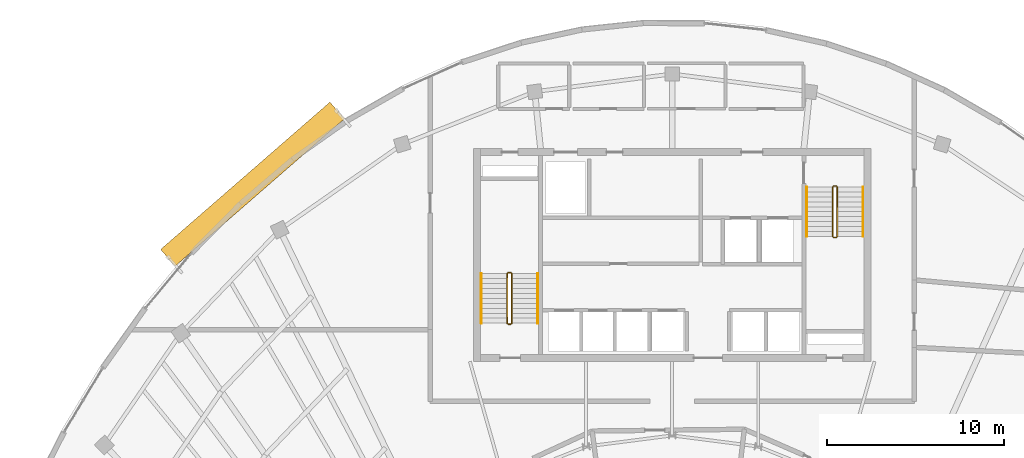
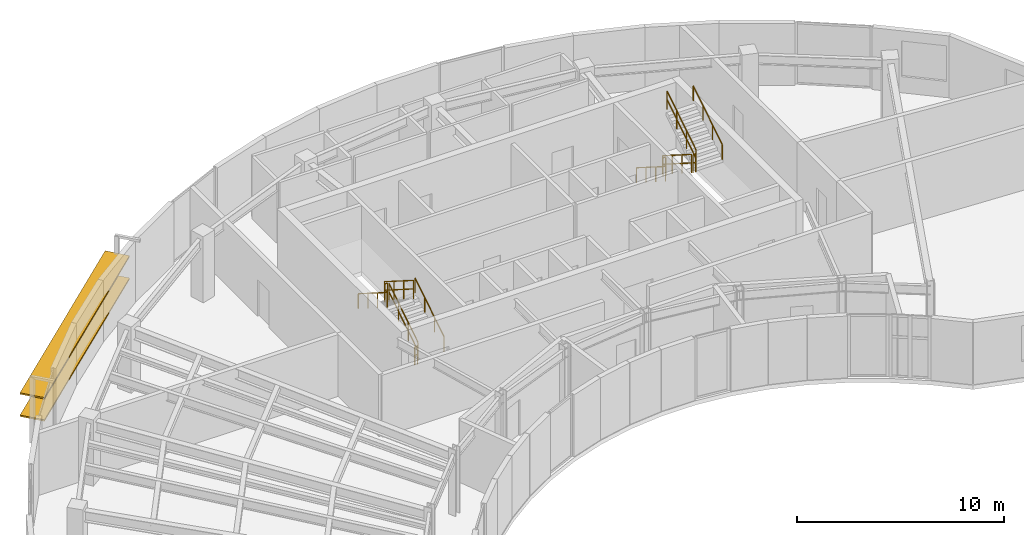
# One storey, part 12 of 12: 12 railings, 2 shading devices.
"""IFC4 building model written with IfcOpenShell, lengths in metres."""

from ifc_helpers import new_model, si_unit, direction, frame, origin, origin_2d, place, context, subcontext, project, spatial, rectangle, extrude, source, transform, mapped, material, material_profile, profile_set, type_object, element, save


model = new_model("IFC4")

# Units and contexts
model_context = context("Model", 3, precision=1e-05, world=origin(), true_north=direction((0.0, 1.0)))
body_context = subcontext(model_context, "Body", "Model", "MODEL_VIEW")
ifc_project = project(units=[si_unit("LENGTHUNIT", "METRE"), si_unit("AREAUNIT", "SQUARE_METRE"), si_unit("VOLUMEUNIT", "CUBIC_METRE"), si_unit("PLANEANGLEUNIT", "RADIAN"), si_unit("MASSUNIT", "GRAM", prefix="KILO")], contexts=[model_context])

# Site, building, storey
site_placement = place(None, origin())
site = spatial("IfcSite", under=ifc_project, at=site_placement, CompositionType="ELEMENT")
building_placement = place(site_placement, origin())
building = spatial("IfcBuilding", under=site, at=building_placement, Name="Breltana Convention Tower", CompositionType="ELEMENT")
storey_placement = place(building_placement, frame((0.0, 0.0, 260.10009765625)))
storey = spatial("IfcBuildingStorey", under=building, at=storey_placement, Name="L63", CompositionType="ELEMENT", Elevation=260.10009765625)

# Railings
ifc_material_1 = material(Name="Steel S275 Painted", Category="steel")
railing_type_1 = type_object("IfcRailingType", Name="RL-STAIR-GUARD-1100", PredefinedType="GUARDRAIL", material=ifc_material_1)
railing_1_placement = place(storey_placement, frame((38.9599609375, 62.360107421875, 0.17724609375)))
element("IfcRailing", 1, at=railing_1_placement, inside=storey, type_object=railing_type_1, Name="L63 ST-1 stair guard 1", PredefinedType="GUARDRAIL", context=body_context, shape_type="SweptSolid", body=[
    extrude(rectangle(XDim=0.048095703125, YDim=0.048095703125, at=origin_2d()), frame((0.0, 0.0, 1.076171875), z_axis=(0.0, 0.844887892834, 0.53494340686), x_axis=(-1.0, 0.0, 0.0)), (0.0, 0.0, 1.0), 3.313720703125),
    extrude(rectangle(XDim=0.048095703125, YDim=0.048095703125, at=origin_2d()), frame((0.0, 0.0, 0.572021484375), z_axis=(0.0, 0.844887892834, 0.53494340686), x_axis=(-1.0, 0.0, 0.0)), (0.0, 0.0, 1.0), 3.313720703125),
    extrude(rectangle(XDim=0.0419921875, YDim=0.0419921875, at=origin_2d()), origin(), (0.0, 0.0, 1.0), 1.052001953125),
    extrude(rectangle(XDim=0.0419921875, YDim=0.0419921875, at=origin_2d()), frame((0.0, 0.933349609375, 0.5908203125)), (0.0, 0.0, 1.0), 1.052001953125),
    extrude(rectangle(XDim=0.0419921875, YDim=0.0419921875, at=origin_2d()), frame((0.0, 1.866455078125, 1.181884765625)), (0.0, 0.0, 1.0), 1.052001953125),
    extrude(rectangle(XDim=0.0419921875, YDim=0.0419921875, at=origin_2d()), frame((0.0, 2.7998046875, 1.772705078125)), (0.0, 0.0, 1.0), 1.052001953125),
])
railing_2_placement = place(storey_placement, frame((38.909912109375, 65.2099609375, 1.949951171875)))
element("IfcRailing", 2, at=railing_2_placement, inside=storey, type_object=railing_type_1, Name="L63 ST-1 stair guard 2", PredefinedType="GUARDRAIL", context=body_context, shape_type="SweptSolid", body=[
    extrude(rectangle(XDim=0.048095703125, YDim=0.048095703125, at=origin_2d()), frame((0.0, 0.0, 1.076171875), z_axis=(-1.0, 0.0, 0.0), x_axis=(0.0, -1.0, 0.0)), (0.0, 0.0, 1.0), 0.14990234375),
    extrude(rectangle(XDim=0.048095703125, YDim=0.048095703125, at=origin_2d()), frame((0.0, 0.0, 0.572021484375), z_axis=(-1.0, 0.0, 0.0), x_axis=(0.0, -1.0, 0.0)), (0.0, 0.0, 1.0), 0.14990234375),
    extrude(rectangle(XDim=0.0419921875, YDim=0.0419921875, at=origin_2d()), origin(), (0.0, 0.0, 1.0), 1.052001953125),
    extrude(rectangle(XDim=0.0419921875, YDim=0.0419921875, at=origin_2d()), frame((-0.14990234375, 0.0, 0.0)), (0.0, 0.0, 1.0), 1.052001953125),
])
railing_3_placement = place(storey_placement, frame((38.7099609375, 65.159912109375, 2.127197265625)))
element("IfcRailing", 3, at=railing_3_placement, inside=storey, type_object=railing_type_1, Name="L63 ST-1 stair guard 3", PredefinedType="GUARDRAIL", context=body_context, shape_type="SweptSolid", body=[
    extrude(rectangle(XDim=0.048095703125, YDim=0.048095703125, at=origin_2d()), frame((0.0, 0.0, 1.076171875), z_axis=(0.0, -0.844887892834, 0.53494340686), x_axis=(1.0, 0.0, 0.0)), (0.0, 0.0, 1.0), 3.313720703125),
    extrude(rectangle(XDim=0.048095703125, YDim=0.048095703125, at=origin_2d()), frame((0.0, 0.0, 0.572021484375), z_axis=(0.0, -0.844887892834, 0.53494340686), x_axis=(1.0, 0.0, 0.0)), (0.0, 0.0, 1.0), 3.313720703125),
    extrude(rectangle(XDim=0.0419921875, YDim=0.0419921875, at=origin_2d()), origin(), (0.0, 0.0, 1.0), 1.052001953125),
    extrude(rectangle(XDim=0.0419921875, YDim=0.0419921875, at=origin_2d()), frame((0.0, -0.933349609375, 0.5908203125)), (0.0, 0.0, 1.0), 1.052001953125),
    extrude(rectangle(XDim=0.0419921875, YDim=0.0419921875, at=origin_2d()), frame((0.0, -1.866455078125, 1.181884765625)), (0.0, 0.0, 1.0), 1.052001953125),
    extrude(rectangle(XDim=0.0419921875, YDim=0.0419921875, at=origin_2d()), frame((0.0, -2.7998046875, 1.772705078125)), (0.0, 0.0, 1.0), 1.052001953125),
])
railing_4_placement = place(storey_placement, frame((38.909912109375, 62.31005859375, 0.0)))
element("IfcRailing", 4, at=railing_4_placement, inside=storey, type_object=railing_type_1, Name="L63 ST-1 stair guard 4", PredefinedType="GUARDRAIL", context=body_context, shape_type="SweptSolid", body=[
    extrude(rectangle(XDim=0.048095703125, YDim=0.048095703125, at=origin_2d()), frame((0.0, 0.0, 1.076171875), z_axis=(-1.0, 0.0, 0.0), x_axis=(0.0, -1.0, 0.0)), (0.0, 0.0, 1.0), 0.14990234375),
    extrude(rectangle(XDim=0.048095703125, YDim=0.048095703125, at=origin_2d()), frame((0.0, 0.0, 0.572021484375), z_axis=(-1.0, 0.0, 0.0), x_axis=(0.0, -1.0, 0.0)), (0.0, 0.0, 1.0), 0.14990234375),
    extrude(rectangle(XDim=0.0419921875, YDim=0.0419921875, at=origin_2d()), origin(), (0.0, 0.0, 1.0), 1.052001953125),
    extrude(rectangle(XDim=0.0419921875, YDim=0.0419921875, at=origin_2d()), frame((-0.14990234375, 0.0, 0.0)), (0.0, 0.0, 1.0), 1.052001953125),
])
railing_5_placement = place(storey_placement, frame((57.0400390625, 70.0400390625, 0.17724609375)))
element("IfcRailing", 5, at=railing_5_placement, inside=storey, type_object=railing_type_1, Name="L63 ST-2 stair guard 1", PredefinedType="GUARDRAIL", context=body_context, shape_type="SweptSolid", body=[
    extrude(rectangle(XDim=0.048095703125, YDim=0.048095703125, at=origin_2d()), frame((0.0, 0.0, 1.076171875), z_axis=(0.0, -0.844908973607, 0.534910110503), x_axis=(1.0, 0.0, 0.0)), (0.0, 0.0, 1.0), 3.31396484375),
    extrude(rectangle(XDim=0.048095703125, YDim=0.048095703125, at=origin_2d()), frame((0.0, 0.0, 0.572021484375), z_axis=(0.0, -0.844908973607, 0.534910110503), x_axis=(1.0, 0.0, 0.0)), (0.0, 0.0, 1.0), 3.31396484375),
    extrude(rectangle(XDim=0.0419921875, YDim=0.0419921875, at=origin_2d()), origin(), (0.0, 0.0, 1.0), 1.052001953125),
    extrude(rectangle(XDim=0.0419921875, YDim=0.0419921875, at=origin_2d()), frame((0.0, -0.933349609375, 0.5908203125)), (0.0, 0.0, 1.0), 1.052001953125),
    extrude(rectangle(XDim=0.0419921875, YDim=0.0419921875, at=origin_2d()), frame((0.0, -1.86669921875, 1.181884765625)), (0.0, 0.0, 1.0), 1.052001953125),
    extrude(rectangle(XDim=0.0419921875, YDim=0.0419921875, at=origin_2d()), frame((0.0, -2.800048828125, 1.772705078125)), (0.0, 0.0, 1.0), 1.052001953125),
])
railing_6_placement = place(storey_placement, frame((57.090087890625, 67.18994140625, 1.949951171875)))
element("IfcRailing", 6, at=railing_6_placement, inside=storey, type_object=railing_type_1, Name="L63 ST-2 stair guard 2", PredefinedType="GUARDRAIL", context=body_context, shape_type="SweptSolid", body=[
    extrude(rectangle(XDim=0.048095703125, YDim=0.048095703125, at=origin_2d()), frame((0.0, 0.0, 1.076171875), z_axis=(1.0, 0.0, 0.0), x_axis=(0.0, 1.0, 0.0)), (0.0, 0.0, 1.0), 0.14990234375),
    extrude(rectangle(XDim=0.048095703125, YDim=0.048095703125, at=origin_2d()), frame((0.0, 0.0, 0.572021484375), z_axis=(1.0, 0.0, 0.0), x_axis=(0.0, 1.0, 0.0)), (0.0, 0.0, 1.0), 0.14990234375),
    extrude(rectangle(XDim=0.0419921875, YDim=0.0419921875, at=origin_2d()), origin(), (0.0, 0.0, 1.0), 1.052001953125),
    extrude(rectangle(XDim=0.0419921875, YDim=0.0419921875, at=origin_2d()), frame((0.14990234375, 0.0, 0.0)), (0.0, 0.0, 1.0), 1.052001953125),
])
railing_7_placement = place(storey_placement, frame((57.2900390625, 67.239990234375, 2.127197265625)))
element("IfcRailing", 7, at=railing_7_placement, inside=storey, type_object=railing_type_1, Name="L63 ST-2 stair guard 3", PredefinedType="GUARDRAIL", context=body_context, shape_type="SweptSolid", body=[
    extrude(rectangle(XDim=0.048095703125, YDim=0.048095703125, at=origin_2d()), frame((0.0, 0.0, 1.076171875), z_axis=(0.0, 0.844908973607, 0.534910110503), x_axis=(-1.0, 0.0, 0.0)), (0.0, 0.0, 1.0), 3.31396484375),
    extrude(rectangle(XDim=0.048095703125, YDim=0.048095703125, at=origin_2d()), frame((0.0, 0.0, 0.572021484375), z_axis=(0.0, 0.844908973607, 0.534910110503), x_axis=(-1.0, 0.0, 0.0)), (0.0, 0.0, 1.0), 3.31396484375),
    extrude(rectangle(XDim=0.0419921875, YDim=0.0419921875, at=origin_2d()), origin(), (0.0, 0.0, 1.0), 1.052001953125),
    extrude(rectangle(XDim=0.0419921875, YDim=0.0419921875, at=origin_2d()), frame((0.0, 0.933349609375, 0.5908203125)), (0.0, 0.0, 1.0), 1.052001953125),
    extrude(rectangle(XDim=0.0419921875, YDim=0.0419921875, at=origin_2d()), frame((0.0, 1.86669921875, 1.181884765625)), (0.0, 0.0, 1.0), 1.052001953125),
    extrude(rectangle(XDim=0.0419921875, YDim=0.0419921875, at=origin_2d()), frame((0.0, 2.800048828125, 1.772705078125)), (0.0, 0.0, 1.0), 1.052001953125),
])
railing_8_placement = place(storey_placement, frame((57.090087890625, 70.090087890625, 0.0)))
element("IfcRailing", 8, at=railing_8_placement, inside=storey, type_object=railing_type_1, Name="L63 ST-2 stair guard 4", PredefinedType="GUARDRAIL", context=body_context, shape_type="SweptSolid", body=[
    extrude(rectangle(XDim=0.048095703125, YDim=0.048095703125, at=origin_2d()), frame((0.0, 0.0, 1.076171875), z_axis=(1.0, 0.0, 0.0), x_axis=(0.0, 1.0, 0.0)), (0.0, 0.0, 1.0), 0.14990234375),
    extrude(rectangle(XDim=0.048095703125, YDim=0.048095703125, at=origin_2d()), frame((0.0, 0.0, 0.572021484375), z_axis=(1.0, 0.0, 0.0), x_axis=(0.0, 1.0, 0.0)), (0.0, 0.0, 1.0), 0.14990234375),
    extrude(rectangle(XDim=0.0419921875, YDim=0.0419921875, at=origin_2d()), origin(), (0.0, 0.0, 1.0), 1.052001953125),
    extrude(rectangle(XDim=0.0419921875, YDim=0.0419921875, at=origin_2d()), frame((0.14990234375, 0.0, 0.0)), (0.0, 0.0, 1.0), 1.052001953125),
])
ifc_material_2 = material(Name="Stainless Steel 316L", Category="steel")
railing_type_2 = type_object("IfcRailingType", Name="RL-STAIR-HANDRAIL-900", PredefinedType="HANDRAIL", material=ifc_material_2)
railing_9_placement = place(storey_placement, frame((40.419921875, 62.360107421875, 0.17724609375)))
element("IfcRailing", 9, at=railing_9_placement, inside=storey, type_object=railing_type_2, Name="L63 ST-1 stair handrail 1", PredefinedType="HANDRAIL", context=body_context, shape_type="SweptSolid", body=[
    extrude(rectangle(XDim=0.048095703125, YDim=0.048095703125, at=origin_2d()), frame((0.0, 0.0, 0.8759765625), z_axis=(0.0, 0.844887892834, 0.53494340686), x_axis=(-1.0, 0.0, 0.0)), (0.0, 0.0, 1.0), 3.313720703125),
    extrude(rectangle(XDim=0.0419921875, YDim=0.0419921875, at=origin_2d()), origin(), (0.0, 0.0, 1.0), 0.851806640625),
    extrude(rectangle(XDim=0.0419921875, YDim=0.0419921875, at=origin_2d()), frame((0.0, 0.933349609375, 0.5908203125)), (0.0, 0.0, 1.0), 0.851806640625),
    extrude(rectangle(XDim=0.0419921875, YDim=0.0419921875, at=origin_2d()), frame((0.0, 1.866455078125, 1.181884765625)), (0.0, 0.0, 1.0), 0.851806640625),
    extrude(rectangle(XDim=0.0419921875, YDim=0.0419921875, at=origin_2d()), frame((0.0, 2.7998046875, 1.772705078125)), (0.0, 0.0, 1.0), 0.851806640625),
])
railing_10_placement = place(storey_placement, frame((37.25, 65.159912109375, 2.127197265625)))
element("IfcRailing", 10, at=railing_10_placement, inside=storey, type_object=railing_type_2, Name="L63 ST-1 stair handrail 2", PredefinedType="HANDRAIL", context=body_context, shape_type="SweptSolid", body=[
    extrude(rectangle(XDim=0.048095703125, YDim=0.048095703125, at=origin_2d()), frame((0.0, 0.0, 0.8759765625), z_axis=(0.0, -0.844887892834, 0.53494340686), x_axis=(1.0, 0.0, 0.0)), (0.0, 0.0, 1.0), 3.313720703125),
    extrude(rectangle(XDim=0.0419921875, YDim=0.0419921875, at=origin_2d()), origin(), (0.0, 0.0, 1.0), 0.851806640625),
    extrude(rectangle(XDim=0.0419921875, YDim=0.0419921875, at=origin_2d()), frame((0.0, -0.933349609375, 0.5908203125)), (0.0, 0.0, 1.0), 0.851806640625),
    extrude(rectangle(XDim=0.0419921875, YDim=0.0419921875, at=origin_2d()), frame((0.0, -1.866455078125, 1.181884765625)), (0.0, 0.0, 1.0), 0.851806640625),
    extrude(rectangle(XDim=0.0419921875, YDim=0.0419921875, at=origin_2d()), frame((0.0, -2.7998046875, 1.772705078125)), (0.0, 0.0, 1.0), 0.851806640625),
])
railing_11_placement = place(storey_placement, frame((55.580078125, 70.0400390625, 0.17724609375)))
element("IfcRailing", 11, at=railing_11_placement, inside=storey, type_object=railing_type_2, Name="L63 ST-2 stair handrail 1", PredefinedType="HANDRAIL", context=body_context, shape_type="SweptSolid", body=[
    extrude(rectangle(XDim=0.048095703125, YDim=0.048095703125, at=origin_2d()), frame((0.0, 0.0, 0.8759765625), z_axis=(0.0, -0.844908973607, 0.534910110503), x_axis=(1.0, 0.0, 0.0)), (0.0, 0.0, 1.0), 3.31396484375),
    extrude(rectangle(XDim=0.0419921875, YDim=0.0419921875, at=origin_2d()), origin(), (0.0, 0.0, 1.0), 0.851806640625),
    extrude(rectangle(XDim=0.0419921875, YDim=0.0419921875, at=origin_2d()), frame((0.0, -0.933349609375, 0.5908203125)), (0.0, 0.0, 1.0), 0.851806640625),
    extrude(rectangle(XDim=0.0419921875, YDim=0.0419921875, at=origin_2d()), frame((0.0, -1.86669921875, 1.181884765625)), (0.0, 0.0, 1.0), 0.851806640625),
    extrude(rectangle(XDim=0.0419921875, YDim=0.0419921875, at=origin_2d()), frame((0.0, -2.800048828125, 1.772705078125)), (0.0, 0.0, 1.0), 0.851806640625),
])
railing_12_placement = place(storey_placement, frame((58.75, 67.239990234375, 2.127197265625)))
element("IfcRailing", 12, at=railing_12_placement, inside=storey, type_object=railing_type_2, Name="L63 ST-2 stair handrail 2", PredefinedType="HANDRAIL", context=body_context, shape_type="SweptSolid", body=[
    extrude(rectangle(XDim=0.048095703125, YDim=0.048095703125, at=origin_2d()), frame((0.0, 0.0, 0.8759765625), z_axis=(0.0, 0.844908973607, 0.534910110503), x_axis=(-1.0, 0.0, 0.0)), (0.0, 0.0, 1.0), 3.31396484375),
    extrude(rectangle(XDim=0.0419921875, YDim=0.0419921875, at=origin_2d()), origin(), (0.0, 0.0, 1.0), 0.851806640625),
    extrude(rectangle(XDim=0.0419921875, YDim=0.0419921875, at=origin_2d()), frame((0.0, 0.933349609375, 0.5908203125)), (0.0, 0.0, 1.0), 0.851806640625),
    extrude(rectangle(XDim=0.0419921875, YDim=0.0419921875, at=origin_2d()), frame((0.0, 1.86669921875, 1.181884765625)), (0.0, 0.0, 1.0), 0.851806640625),
    extrude(rectangle(XDim=0.0419921875, YDim=0.0419921875, at=origin_2d()), frame((0.0, 2.800048828125, 1.772705078125)), (0.0, 0.0, 1.0), 0.851806640625),
])

# Shading devices
ifc_material_3 = material(Name="Limestone Warm Buff Honed", Category="masonry")
ifc_material_profile = material_profile(ifc_material_3, rectangle(XDim=1.25, YDim=0.090087890625, at=origin_2d()), Name="STN-LVR-1250X90")
ifc_profile_set = profile_set([ifc_material_profile], Name="Limestone Warm Buff Honed")
shading_device_type = type_object("IfcShadingDeviceType", Name="SHD-OUTER-SKIN-LIMESTONE-1250", PredefinedType="JALOUSIE", material=ifc_profile_set)
shared_shape = source(origin(), body_context, "Body", "SweptSolid", [
    extrude(rectangle(XDim=1.25, YDim=0.090087890625, at=origin_2d()), origin(), (0.0, 0.0, 1.0), 12.646484375),
])
for number, where, z_axis, x_axis, name in (
    (13, (19.582275390625, 66.044189453125, 1.31396484375), (0.754367743007, 0.656452060938, 0.0), (-0.656452060938, 0.754367743007, 0.0), "L63 outer skin warm limestone louvre 1.1"),
    (14, (19.582275390625, 66.044189453125, 2.6279296875), (0.754367743007, 0.656452060938, 0.0), (-0.656452060938, 0.754367743007, 0.0), "L63 outer skin warm limestone louvre 1.2"),
):
    element("IfcShadingDevice", number, at=place(storey_placement, frame(where, z_axis=z_axis, x_axis=x_axis)), inside=storey, type_object=shading_device_type, Name=name, PredefinedType="JALOUSIE", context=body_context, shape_type="MappedRepresentation", body=[
        mapped(shared_shape, transform((0.0, 0.0, 0.0), scale=1.0)),
    ])

save(model, "model.ifc")
